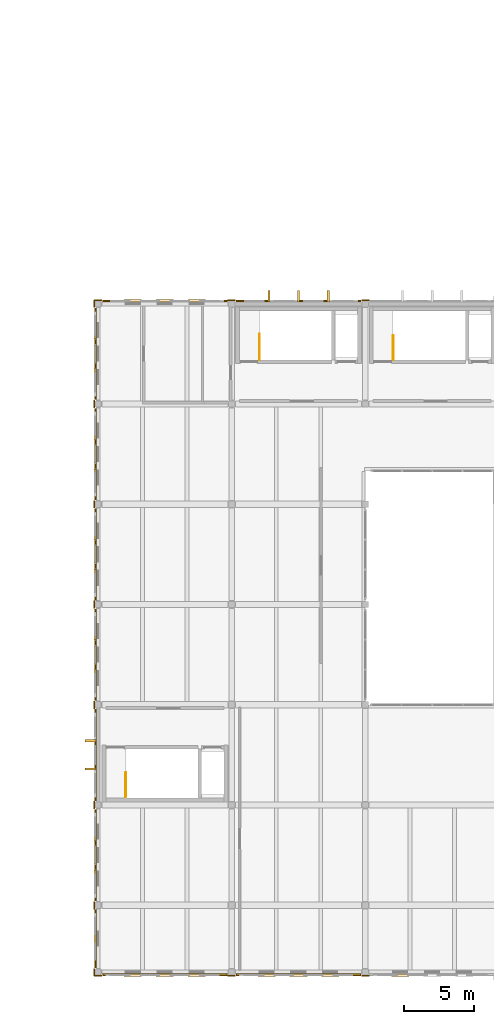
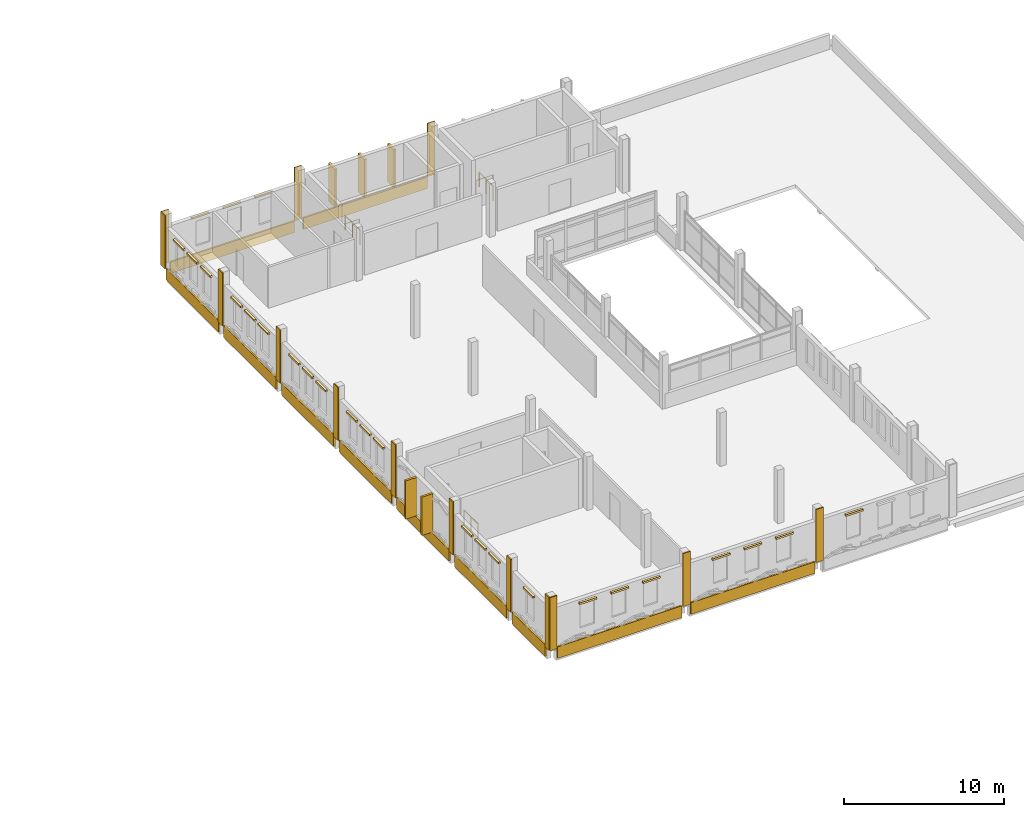
# One storey, part 43 of 50: 56 coverings, 3 railings.
"""IFC4 building model written with IfcOpenShell, lengths in metres."""

from ifc_helpers import new_model, si_unit, direction, frame, origin, origin_2d, place, context, subcontext, project, spatial, rectangle, circle, extrude, material, layer, layer_set, type_object, element, save


model = new_model("IFC4")

# Units and contexts
model_context = context("Model", 3, precision=1e-05, world=origin(), true_north=direction((0.0, 1.0)))
body_context = subcontext(model_context, "Body", "Model", "MODEL_VIEW")
ifc_project = project(units=[si_unit("LENGTHUNIT", "METRE"), si_unit("AREAUNIT", "SQUARE_METRE"), si_unit("VOLUMEUNIT", "CUBIC_METRE"), si_unit("PLANEANGLEUNIT", "RADIAN"), si_unit("MASSUNIT", "GRAM", prefix="KILO")], contexts=[model_context])

# Site, building, storey
site_placement = place(None, origin())
site = spatial("IfcSite", under=ifc_project, at=site_placement, CompositionType="ELEMENT")
building_placement = place(site_placement, origin())
building = spatial("IfcBuilding", under=site, at=building_placement, Name="Asteropetra Specialist Clinic", CompositionType="ELEMENT")
storey_placement = place(building_placement, frame((0.0, 0.0, 16.659912109375)))
storey = spatial("IfcBuildingStorey", under=building, at=storey_placement, Name="L04", CompositionType="ELEMENT", Elevation=16.659912109375)

# Coverings
ifc_material_1 = material(Name="Chevron pale marble", Category="masonry")
ifc_layer_1 = layer(ifc_material_1, 0.1201171875)
ifc_layer_set_1 = layer_set([ifc_layer_1], Name="Chevron pale marble")
covering_type_1 = type_object("IfcCoveringType", Name="CLD-AEG-MARB", PredefinedType="CLADDING", material=ifc_layer_set_1)
for number, where, z_axis, x_axis, name in (
    (1, (110.39990234375, -0.1875, -0.7998046875), (0.0, 0.0, 1.0), (1.0, 0.0, 0.0), "Chevron Spandrel Band CV-2302"),
    (2, (110.39990234375, 48.1875, -0.7998046875), (0.0, 0.0, 1.0), (1.0, 0.0, 0.0), "Chevron Spandrel Band CV-2314"),
    (3, (120.0, -0.1875, -0.7998046875), (0.0, 0.0, 1.0), (1.0, 0.0, 0.0), "Chevron Spandrel Band CV-2326"),
    (4, (120.0, 48.1875, -0.7998046875), (0.0, 0.0, 1.0), (1.0, 0.0, 0.0), "Chevron Spandrel Band CV-2335"),
):
    element("IfcCovering", number, at=place(storey_placement, frame(where, z_axis=z_axis, x_axis=x_axis)), inside=storey, type_object=covering_type_1, Name=name, PredefinedType="CLADDING", context=body_context, shape_type="SweptSolid", body=[
        extrude(rectangle(XDim=8.949951171875, YDim=0.1201171875, at=origin_2d()), origin(), (0.0, 0.0, 1.0), 0.8798828125),
    ])
covering_1_placement = place(storey_placement, frame((105.41259765625, 2.39990234375, -0.7998046875), z_axis=(0.0, 0.0, 1.0), x_axis=(1.0, 0.0, 0.0)))
element("IfcCovering", 5, at=covering_1_placement, inside=storey, type_object=covering_type_1, Name="Chevron Spandrel Band CV-2366", PredefinedType="CLADDING", context=body_context, shape_type="SweptSolid", body=[
    extrude(rectangle(XDim=0.1201171875, YDim=4.14990234375, at=origin_2d()), origin(), (0.0, 0.0, 1.0), 0.8798828125),
])
for number, where, z_axis, x_axis, name in (
    (6, (105.41259765625, 8.39990234375, -0.7998046875), (0.0, 0.0, 1.0), (1.0, 0.0, 0.0), "Chevron Spandrel Band CV-2380"),
    (7, (105.41259765625, 15.60009765625, -0.7998046875), (0.0, 0.0, 1.0), (1.0, 0.0, 0.0), "Chevron Spandrel Band CV-2397"),
    (8, (105.41259765625, 22.800048828125, -0.7998046875), (0.0, 0.0, 1.0), (1.0, 0.0, 0.0), "Chevron Spandrel Band CV-2417"),
    (9, (105.41259765625, 30.0, -0.7998046875), (0.0, 0.0, 1.0), (1.0, 0.0, 0.0), "Chevron Spandrel Band CV-2427"),
    (10, (105.41259765625, 37.199951171875, -0.7998046875), (0.0, 0.0, 1.0), (1.0, 0.0, 0.0), "Chevron Spandrel Band CV-2437"),
    (11, (105.41259765625, 44.39990234375, -0.7998046875), (0.0, 0.0, 1.0), (1.0, 0.0, 0.0), "Chevron Spandrel Band CV-2447"),
):
    element("IfcCovering", number, at=place(storey_placement, frame(where, z_axis=z_axis, x_axis=x_axis)), inside=storey, type_object=covering_type_1, Name=name, PredefinedType="CLADDING", context=body_context, shape_type="SweptSolid", body=[
        extrude(rectangle(XDim=0.1201171875, YDim=6.550048828125, at=origin_2d()), origin(), (0.0, 0.0, 1.0), 0.8798828125),
    ])
ifc_material_2 = material(Name="Pentelic marble ashlar", Category="masonry")
ifc_layer_2 = layer(ifc_material_2, 0.159912109375)
ifc_layer_set_2 = layer_set([ifc_layer_2], Name="Pentelic marble ashlar")
covering_type_2 = type_object("IfcCoveringType", Name="CRN-ENTAB-600", PredefinedType="MOLDING", material=ifc_layer_set_2)
covering_2_placement = place(storey_placement, frame((105.60009765625, -0.257080078125, 0.02001953125), z_axis=(0.0, 0.0, 1.0), x_axis=(1.0, 0.0, 0.0)))
element("IfcCovering", 12, at=covering_2_placement, inside=storey, type_object=covering_type_2, Name="Neoclassical Pilaster Facing CM-1165", PredefinedType="MOLDING", context=body_context, shape_type="SweptSolid", body=[
    extrude(rectangle(XDim=0.530029296875, YDim=0.080078125, at=origin_2d()), origin(), (0.0, 0.0, 1.0), 4.0400390625),
])
for number, where, z_axis, x_axis, name in (
    (13, (105.343017578125, 0.0, 0.02001953125), (0.0, 0.0, 1.0), (1.0, 0.0, 0.0), "Neoclassical Pilaster Facing CM-1166"),
    (14, (105.343017578125, 4.800048828125, 0.02001953125), (0.0, 0.0, 1.0), (1.0, 0.0, 0.0), "Neoclassical Pilaster Facing CM-1167"),
    (15, (105.343017578125, 12.0, 0.02001953125), (0.0, 0.0, 1.0), (1.0, 0.0, 0.0), "Neoclassical Pilaster Facing CM-1168"),
    (16, (105.343017578125, 19.199951171875, 0.02001953125), (0.0, 0.0, 1.0), (1.0, 0.0, 0.0), "Neoclassical Pilaster Facing CM-1169"),
    (17, (105.343017578125, 26.39990234375, 0.02001953125), (0.0, 0.0, 1.0), (1.0, 0.0, 0.0), "Neoclassical Pilaster Facing CM-1170"),
    (18, (105.343017578125, 33.60009765625, 0.02001953125), (0.0, 0.0, 1.0), (1.0, 0.0, 0.0), "Neoclassical Pilaster Facing CM-1171"),
    (19, (105.343017578125, 40.800048828125, 0.02001953125), (0.0, 0.0, 1.0), (1.0, 0.0, 0.0), "Neoclassical Pilaster Facing CM-1172"),
):
    element("IfcCovering", number, at=place(storey_placement, frame(where, z_axis=z_axis, x_axis=x_axis)), inside=storey, type_object=covering_type_2, Name=name, PredefinedType="MOLDING", context=body_context, shape_type="SweptSolid", body=[
        extrude(rectangle(XDim=0.080078125, YDim=0.530029296875, at=origin_2d()), origin(), (0.0, 0.0, 1.0), 4.0400390625),
    ])
covering_3_placement = place(storey_placement, frame((105.60009765625, 48.257080078125, 0.02001953125), z_axis=(0.0, 0.0, 1.0), x_axis=(1.0, 0.0, 0.0)))
element("IfcCovering", 20, at=covering_3_placement, inside=storey, type_object=covering_type_2, Name="Neoclassical Pilaster Facing CM-1173", PredefinedType="MOLDING", context=body_context, shape_type="SweptSolid", body=[
    extrude(rectangle(XDim=0.530029296875, YDim=0.080078125, at=origin_2d()), origin(), (0.0, 0.0, 1.0), 4.0400390625),
])
covering_4_placement = place(storey_placement, frame((105.343017578125, 48.0, 0.02001953125), z_axis=(0.0, 0.0, 1.0), x_axis=(1.0, 0.0, 0.0)))
element("IfcCovering", 21, at=covering_4_placement, inside=storey, type_object=covering_type_2, Name="Neoclassical Pilaster Facing CM-1174", PredefinedType="MOLDING", context=body_context, shape_type="SweptSolid", body=[
    extrude(rectangle(XDim=0.080078125, YDim=0.530029296875, at=origin_2d()), origin(), (0.0, 0.0, 1.0), 4.0400390625),
])
for number, where, z_axis, x_axis, name in (
    (22, (115.199951171875, -0.257080078125, 0.02001953125), (0.0, 0.0, 1.0), (1.0, 0.0, 0.0), "Neoclassical Pilaster Facing CM-1175"),
    (23, (115.199951171875, 48.257080078125, 0.02001953125), (0.0, 0.0, 1.0), (1.0, 0.0, 0.0), "Neoclassical Pilaster Facing CM-1176"),
    (24, (124.800048828125, -0.257080078125, 0.02001953125), (0.0, 0.0, 1.0), (1.0, 0.0, 0.0), "Neoclassical Pilaster Facing CM-1177"),
    (25, (124.800048828125, 48.257080078125, 0.02001953125), (0.0, 0.0, 1.0), (1.0, 0.0, 0.0), "Neoclassical Pilaster Facing CM-1178"),
):
    element("IfcCovering", number, at=place(storey_placement, frame(where, z_axis=z_axis, x_axis=x_axis)), inside=storey, type_object=covering_type_2, Name=name, PredefinedType="MOLDING", context=body_context, shape_type="SweptSolid", body=[
        extrude(rectangle(XDim=0.530029296875, YDim=0.080078125, at=origin_2d()), origin(), (0.0, 0.0, 1.0), 4.0400390625),
    ])
for number, where, z_axis, x_axis, name in (
    (26, (108.112548828125, -0.217529296875, 2.77001953125), (0.0, 0.0, 1.0), (1.0, 0.0, 0.0), "Classical Window Hood WH-2299"),
    (27, (110.39990234375, -0.217529296875, 2.77001953125), (0.0, 0.0, 1.0), (1.0, 0.0, 0.0), "Classical Window Hood WH-2300"),
    (28, (112.6875, -0.217529296875, 2.77001953125), (0.0, 0.0, 1.0), (1.0, 0.0, 0.0), "Classical Window Hood WH-2301"),
    (29, (112.6875, 48.217529296875, 2.77001953125), (0.0, 0.0, 1.0), (1.0, 0.0, 0.0), "Classical Window Hood WH-2311"),
    (30, (110.39990234375, 48.217529296875, 2.77001953125), (0.0, 0.0, 1.0), (1.0, 0.0, 0.0), "Classical Window Hood WH-2312"),
    (31, (108.112548828125, 48.217529296875, 2.77001953125), (0.0, 0.0, 1.0), (1.0, 0.0, 0.0), "Classical Window Hood WH-2313"),
    (32, (117.71240234375, -0.217529296875, 2.77001953125), (0.0, 0.0, 1.0), (1.0, 0.0, 0.0), "Classical Window Hood WH-2323"),
    (33, (120.0, -0.217529296875, 2.77001953125), (0.0, 0.0, 1.0), (1.0, 0.0, 0.0), "Classical Window Hood WH-2324"),
    (34, (122.28759765625, -0.217529296875, 2.77001953125), (0.0, 0.0, 1.0), (1.0, 0.0, 0.0), "Classical Window Hood WH-2325"),
    (35, (127.3125, -0.217529296875, 2.77001953125), (0.0, 0.0, 1.0), (1.0, 0.0, 0.0), "Classical Window Hood WH-2344"),
):
    element("IfcCovering", number, at=place(storey_placement, frame(where, z_axis=z_axis, x_axis=x_axis)), inside=storey, type_object=covering_type_2, Name=name, PredefinedType="MOLDING", context=body_context, shape_type="SweptSolid", body=[
        extrude(rectangle(XDim=1.260009765625, YDim=0.159912109375, at=origin_2d()), origin(), (0.0, 0.0, 1.0), 0.139892578125),
    ])
for number, where, z_axis, x_axis, name in (
    (36, (105.382568359375, 2.39990234375, 2.77001953125), (0.0, 0.0, 1.0), (1.0, 0.0, 0.0), "Classical Window Hood WH-2365"),
    (37, (105.382568359375, 10.08740234375, 2.77001953125), (0.0, 0.0, 1.0), (1.0, 0.0, 0.0), "Classical Window Hood WH-2377"),
    (38, (105.382568359375, 8.39990234375, 2.77001953125), (0.0, 0.0, 1.0), (1.0, 0.0, 0.0), "Classical Window Hood WH-2378"),
    (39, (105.382568359375, 6.71240234375, 2.77001953125), (0.0, 0.0, 1.0), (1.0, 0.0, 0.0), "Classical Window Hood WH-2379"),
    (40, (105.382568359375, 24.487548828125, 2.77001953125), (0.0, 0.0, 1.0), (1.0, 0.0, 0.0), "Classical Window Hood WH-2414"),
    (41, (105.382568359375, 22.800048828125, 2.77001953125), (0.0, 0.0, 1.0), (1.0, 0.0, 0.0), "Classical Window Hood WH-2415"),
    (42, (105.382568359375, 21.112548828125, 2.77001953125), (0.0, 0.0, 1.0), (1.0, 0.0, 0.0), "Classical Window Hood WH-2416"),
    (43, (105.382568359375, 31.6875, 2.77001953125), (0.0, 0.0, 1.0), (1.0, 0.0, 0.0), "Classical Window Hood WH-2424"),
    (44, (105.382568359375, 30.0, 2.77001953125), (0.0, 0.0, 1.0), (1.0, 0.0, 0.0), "Classical Window Hood WH-2425"),
    (45, (105.382568359375, 28.3125, 2.77001953125), (0.0, 0.0, 1.0), (1.0, 0.0, 0.0), "Classical Window Hood WH-2426"),
    (46, (105.382568359375, 38.887451171875, 2.77001953125), (0.0, 0.0, 1.0), (1.0, 0.0, 0.0), "Classical Window Hood WH-2434"),
    (47, (105.382568359375, 37.199951171875, 2.77001953125), (0.0, 0.0, 1.0), (1.0, 0.0, 0.0), "Classical Window Hood WH-2435"),
    (48, (105.382568359375, 35.512451171875, 2.77001953125), (0.0, 0.0, 1.0), (1.0, 0.0, 0.0), "Classical Window Hood WH-2436"),
    (49, (105.382568359375, 46.08740234375, 2.77001953125), (0.0, 0.0, 1.0), (1.0, 0.0, 0.0), "Classical Window Hood WH-2444"),
    (50, (105.382568359375, 44.39990234375, 2.77001953125), (0.0, 0.0, 1.0), (1.0, 0.0, 0.0), "Classical Window Hood WH-2445"),
    (51, (105.382568359375, 42.71240234375, 2.77001953125), (0.0, 0.0, 1.0), (1.0, 0.0, 0.0), "Classical Window Hood WH-2446"),
):
    element("IfcCovering", number, at=place(storey_placement, frame(where, z_axis=z_axis, x_axis=x_axis)), inside=storey, type_object=covering_type_2, Name=name, PredefinedType="MOLDING", context=body_context, shape_type="SweptSolid", body=[
        extrude(rectangle(XDim=0.159912109375, YDim=1.260009765625, at=origin_2d()), origin(), (0.0, 0.0, 1.0), 0.139892578125),
    ])
ifc_material_3 = material(Name="Pentelic marble solar fin", Category="masonry")
ifc_layer_3 = layer(ifc_material_3, 0.080078125)
ifc_layer_set_3 = layer_set([ifc_layer_3], Name="Pentelic marble solar fin")
covering_type_3 = type_object("IfcCoveringType", Name="FIN-SOLAR-800", PredefinedType="MOLDING", material=ifc_layer_set_3)
for number, where, z_axis, x_axis, name in (
    (52, (122.12744140625, 48.54248046875, 0.070068359375), (0.0, 0.0, 1.0), (1.0, 0.0, 0.0), "Solar Shading Fin FN-0272"),
    (53, (120.0, 48.54248046875, 0.070068359375), (0.0, 0.0, 1.0), (1.0, 0.0, 0.0), "Solar Shading Fin FN-0273"),
    (54, (117.87255859375, 48.54248046875, 0.070068359375), (0.0, 0.0, 1.0), (1.0, 0.0, 0.0), "Solar Shading Fin FN-0274"),
):
    element("IfcCovering", number, at=place(storey_placement, frame(where, z_axis=z_axis, x_axis=x_axis)), inside=storey, type_object=covering_type_3, Name=name, PredefinedType="MOLDING", context=body_context, shape_type="SweptSolid", body=[
        extrude(rectangle(XDim=0.159912109375, YDim=0.800048828125, at=origin_2d()), origin(), (0.0, 0.0, 1.0), 2.919921875),
    ])
for number, where, z_axis, x_axis, name in (
    (55, (105.0576171875, 16.618408203125, 0.070068359375), (0.0, 0.0, 1.0), (1.0, 0.0, 0.0), "Solar Shading Fin FN-0278"),
    (56, (105.0576171875, 14.581787109375, 0.070068359375), (0.0, 0.0, 1.0), (1.0, 0.0, 0.0), "Solar Shading Fin FN-0279"),
):
    element("IfcCovering", number, at=place(storey_placement, frame(where, z_axis=z_axis, x_axis=x_axis)), inside=storey, type_object=covering_type_3, Name=name, PredefinedType="MOLDING", context=body_context, shape_type="SweptSolid", body=[
        extrude(rectangle(XDim=0.800048828125, YDim=0.159912109375, at=origin_2d()), origin(), (0.0, 0.0, 1.0), 2.919921875),
    ])

# Railings
ifc_material_4 = material(Name="Steel S355 and laminated glass guard", Category="steel")
railing_type = type_object("IfcRailingType", Name="GRD-INT-1120", PredefinedType="GUARDRAIL", material=ifc_material_4)
for number, where, name in (
    (57, (107.60009765625, 12.60009765625, 0.0), "Stair Well Guard ST08-L03"),
    (58, (126.800048828125, 43.97998046875, 0.0), "Stair Well Guard ST09-L03"),
):
    element("IfcRailing", number, at=place(storey_placement, frame(where)), inside=storey, type_object=railing_type, Name=name, PredefinedType="GUARDRAIL", context=body_context, shape_type="SweptSolid", body=[
        extrude(circle(Radius=0.02392578125, at=origin_2d()), frame((0.0, 0.0, 1.09619140625), z_axis=(0.0, 1.0, 0.0), x_axis=(-1.0, 0.0, 0.0)), (0.0, 0.0, 1.0), 1.72998046875),
        extrude(circle(Radius=0.02099609375, at=origin_2d()), origin(), (0.0, 0.0, 1.0), 1.072021484375),
        extrude(circle(Radius=0.02099609375, at=origin_2d()), frame((0.0, 0.864990234375, 0.0)), (0.0, 0.0, 1.0), 1.072021484375),
        extrude(circle(Radius=0.02099609375, at=origin_2d()), frame((0.0, 1.72998046875, 0.0)), (0.0, 0.0, 1.0), 1.072021484375),
    ])
railing_placement = place(storey_placement, frame((117.199951171875, 43.97998046875, 0.0)))
element("IfcRailing", 59, at=railing_placement, inside=storey, type_object=railing_type, Name="Stair Well Guard ST10-L03", PredefinedType="GUARDRAIL", context=body_context, shape_type="SweptSolid", body=[
    extrude(circle(Radius=0.02392578125, at=origin_2d()), frame((0.0, 0.0, 1.09619140625), z_axis=(0.0, 1.0, 0.0), x_axis=(-1.0, 0.0, 0.0)), (0.0, 0.0, 1.0), 1.830078125),
    extrude(circle(Radius=0.02099609375, at=origin_2d()), origin(), (0.0, 0.0, 1.0), 1.072021484375),
    extrude(circle(Radius=0.02099609375, at=origin_2d()), frame((0.0, 0.9150390625, 0.0)), (0.0, 0.0, 1.0), 1.072021484375),
    extrude(circle(Radius=0.02099609375, at=origin_2d()), frame((0.0, 1.830078125, 0.0)), (0.0, 0.0, 1.0), 1.072021484375),
])

save(model, "model.ifc")
